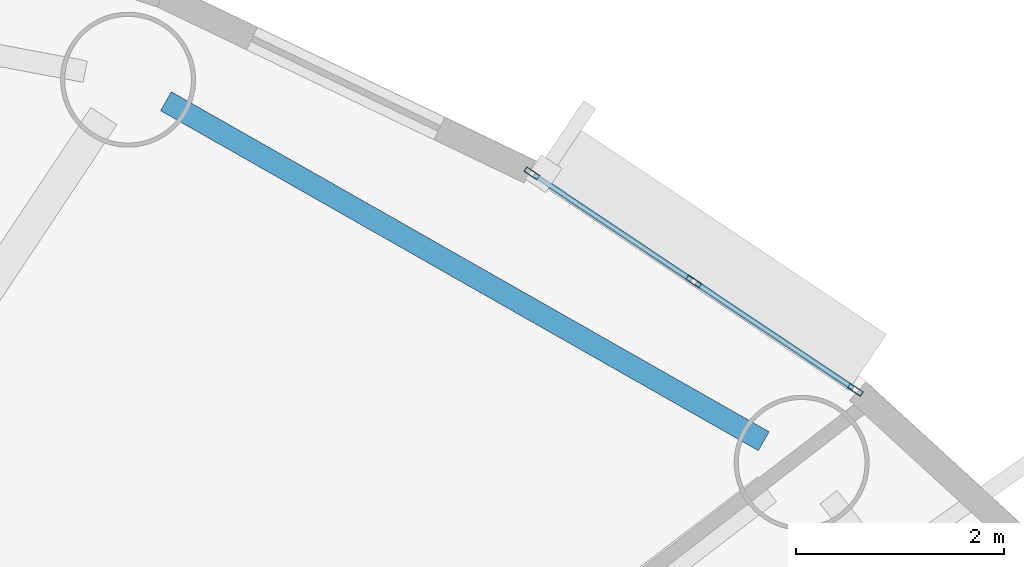
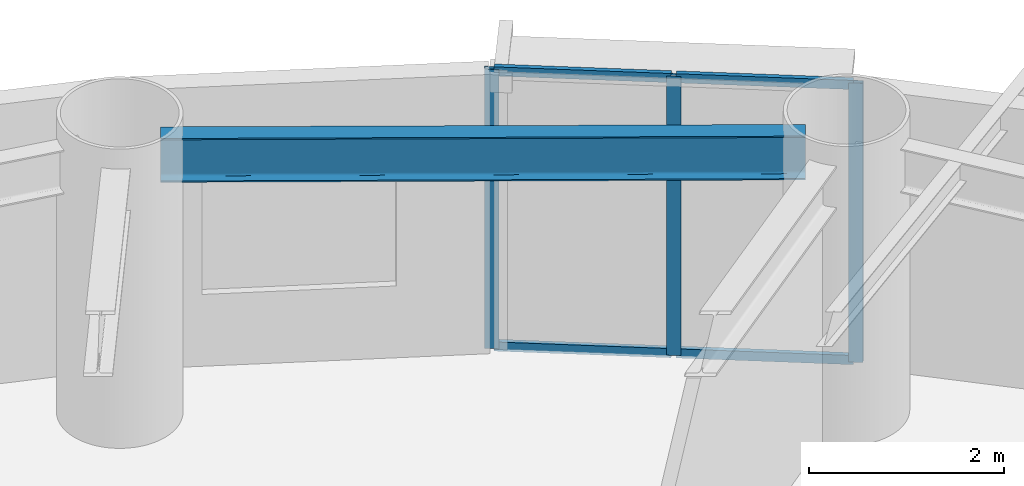
# One storey, part 5 of 18: 7 members, 1 beam, 1 element without a shape of its own.
"""IFC4 building model written with IfcOpenShell, lengths in metres."""

import ifcopenshell
import ifcopenshell.guid

model = None  # the IFC model being written
_history = None  # IfcOwnerHistory: only IFC2X3 demands one
_inside = {}  # id of a spatial element -> (the spatial element, [elements in it])
_under = {}  # id of a project, library or spatial element -> (it, [spatial elements below it])
_declared = {}  # id of a project -> (the project, [libraries it declares])
_typed = {}  # id of a type object -> (the type object, [elements of that type])
_made_of = {}  # id of a material, layer set ... -> (it, [elements and type objects made of it])


def new_model(schema):
    """Start an empty IFC model of exactly this schema.

    Asked for "IFC4X3", IfcOpenShell would pick the latest addendum, in which some entities
    have other attributes; the version numbers below select the first issue.
    IFC2X3 requires an IfcOwnerHistory on every rooted entity: one is made here for all.
    """
    global model, _history
    if schema == "IFC4X3":
        model = ifcopenshell.file(schema_version=(4, 3, 0, 0))
    else:
        model = ifcopenshell.file(schema=schema)
    _inside.clear()
    _under.clear()
    _declared.clear()
    _typed.clear()
    _made_of.clear()
    _history = None
    if model.schema == "IFC2X3":
        org = make("IfcOrganization", Name="unknown")
        user = make(
            "IfcPersonAndOrganization",
            ThePerson=make("IfcPerson", FamilyName="unknown"),
            TheOrganization=org,
        )
        app = make(
            "IfcApplication",
            ApplicationDeveloper=org,
            Version="unknown",
            ApplicationFullName="unknown",
            ApplicationIdentifier="unknown",
        )
        _history = make(
            "IfcOwnerHistory",
            OwningUser=user,
            OwningApplication=app,
            ChangeAction="ADDED",
            CreationDate=0,
        )
    return model


def make(cls, **values):
    """One entity of the class cls with the attributes given. An attribute that is None is left unset."""
    return model.create_entity(
        cls, **{name: value for name, value in values.items() if value is not None}
    )


def rooted(cls, **values):
    """An entity with a GlobalId (a new one), such as an element, a storey or a relation."""
    return make(cls, GlobalId=ifcopenshell.guid.new(), OwnerHistory=_history, **values)


def si_unit(unit_type, name, prefix=None):
    """IfcSIUnit, for example si_unit("LENGTHUNIT", "METRE", prefix="MILLI")."""
    return make("IfcSIUnit", UnitType=unit_type, Prefix=prefix, Name=name)


def assignment(units):
    """IfcUnitAssignment: the units of a project."""
    return None if units is None else make("IfcUnitAssignment", Units=units)


def point(xyz):
    """IfcCartesianPoint."""
    return None if xyz is None else make("IfcCartesianPoint", Coordinates=xyz)


def direction(xyz):
    """IfcDirection."""
    return None if xyz is None else make("IfcDirection", DirectionRatios=xyz)


def frame(location, z_axis=None, x_axis=None):
    """IfcAxis2Placement3D, a coordinate frame: its origin and axes. An axis left out is left unset."""
    return make(
        "IfcAxis2Placement3D",
        Location=point(location),
        Axis=direction(z_axis),
        RefDirection=direction(x_axis),
    )


def frame_2d(location, x_axis=None):
    """IfcAxis2Placement2D, a coordinate frame in the plane: its origin and x axis."""
    return make(
        "IfcAxis2Placement2D", Location=point(location), RefDirection=direction(x_axis)
    )


def origin():
    """The frame at (0, 0, 0) with its axes left unset."""
    return frame((0.0, 0.0, 0.0))


def origin_2d():
    """The frame at (0, 0) in the plane with its x axis left unset."""
    return frame_2d((0.0, 0.0))


def place(relative_to, where):
    """IfcLocalPlacement: puts the frame where relative to a parent placement (None: the world)."""
    return make(
        "IfcLocalPlacement", PlacementRelTo=relative_to, RelativePlacement=where
    )


def context(
    kind, dimensions, precision=None, world=None, true_north=None, identifier=None
):
    """IfcGeometricRepresentationContext, for example the 3D "Model" context."""
    return make(
        "IfcGeometricRepresentationContext",
        ContextIdentifier=identifier,
        ContextType=kind,
        CoordinateSpaceDimension=dimensions,
        Precision=precision,
        WorldCoordinateSystem=world,
        TrueNorth=true_north,
    )


def subcontext(parent, identifier, kind, view, scale=None):
    """IfcGeometricRepresentationSubContext, for example "Body" below "Model"."""
    return make(
        "IfcGeometricRepresentationSubContext",
        ContextIdentifier=identifier,
        ContextType=kind,
        ParentContext=parent,
        TargetScale=scale,
        TargetView=view,
    )


def project(units=None, contexts=None):
    """IfcProject with its units and contexts."""
    return rooted(
        "IfcProject",
        Name="project",
        RepresentationContexts=contexts,
        UnitsInContext=assignment(units),
    )


def spatial(cls, under=None, at=None, **own):
    """A site, building, storey or space (cls), placed at a placement, below another one or the project."""
    s = rooted(cls, ObjectPlacement=at, **own)
    if under is not None:
        _under.setdefault(under.id(), (under, []))[1].append(s)
    return s


def profile(cls, at=None, kind="AREA", **sizes):
    """A parametric profile (cls). Its sizes go by their IFC names, for example OverallWidth=200.0."""
    return make(cls, ProfileType=kind, Position=at, **sizes)


def hollow_rectangle(**sizes):
    """IfcRectangleHollowProfileDef."""
    return profile("IfcRectangleHollowProfileDef", **sizes)


def i_section(**sizes):
    """IfcIShapeProfileDef."""
    return profile("IfcIShapeProfileDef", **sizes)


def extrude(swept, where, along, depth):
    """IfcExtrudedAreaSolid: the profile swept, set in the frame where, extruded along a direction by depth."""
    return make(
        "IfcExtrudedAreaSolid",
        SweptArea=swept,
        Position=where,
        ExtrudedDirection=direction(along),
        Depth=depth,
    )


def shape(context_of_items, identifier, shape_type, items):
    """IfcShapeRepresentation: the items that make up one representation, for example the "Body"."""
    return make(
        "IfcShapeRepresentation",
        ContextOfItems=context_of_items,
        RepresentationIdentifier=identifier,
        RepresentationType=shape_type,
        Items=items,
    )


def source(mapping_origin, context_of_items, identifier, shape_type, items):
    """IfcRepresentationMap: a shape defined once, which mapped items show again and again."""
    return make(
        "IfcRepresentationMap",
        MappingOrigin=mapping_origin,
        MappedRepresentation=shape(context_of_items, identifier, shape_type, items),
    )


def transform(
    local_origin,
    x_axis=None,
    y_axis=None,
    z_axis=None,
    scale=None,
    scale2=None,
    scale3=None,
    uniform=True,
):
    """IfcCartesianTransformationOperator3D, or its non-uniform kind. x_axis, y_axis, z_axis: its Axis1, 2, 3."""
    if uniform:
        return make(
            "IfcCartesianTransformationOperator3D",
            Axis1=direction(x_axis),
            Axis2=direction(y_axis),
            LocalOrigin=point(local_origin),
            Scale=scale,
            Axis3=direction(z_axis),
        )
    return make(
        "IfcCartesianTransformationOperator3DnonUniform",
        Axis1=direction(x_axis),
        Axis2=direction(y_axis),
        LocalOrigin=point(local_origin),
        Scale=scale,
        Axis3=direction(z_axis),
        Scale2=scale2,
        Scale3=scale3,
    )


def mapped(mapping_source, mapping_target):
    """IfcMappedItem: shows the shape of a source again, moved by a transform."""
    return make(
        "IfcMappedItem", MappingSource=mapping_source, MappingTarget=mapping_target
    )


def material(Name=None, Category=None):
    """IfcMaterial."""
    return make("IfcMaterial", Name=Name, Category=Category)


def layer(
    of_material, thickness, ventilated=None, Name=None, Category=None, Priority=None
):
    """IfcMaterialLayer: one layer of a wall or slab, of a material (None: an air gap)."""
    return make(
        "IfcMaterialLayer",
        Material=of_material,
        LayerThickness=thickness,
        IsVentilated=ventilated,
        Name=Name,
        Category=Category,
        Priority=Priority,
    )


def layer_set(layers, Name=None):
    """IfcMaterialLayerSet."""
    return make("IfcMaterialLayerSet", MaterialLayers=layers, LayerSetName=Name)


def material_profile(
    of_material, cross_section, Name=None, Category=None, Priority=None
):
    """IfcMaterialProfile: a cross section and its material."""
    return make(
        "IfcMaterialProfile",
        Name=Name,
        Material=of_material,
        Profile=cross_section,
        Priority=Priority,
        Category=Category,
    )


def profile_set(profiles, Name=None, composite=None):
    """IfcMaterialProfileSet."""
    return make(
        "IfcMaterialProfileSet",
        Name=Name,
        MaterialProfiles=profiles,
        CompositeProfile=composite,
    )


def made_of(thing, what):
    """Note that an element or type object is made of a material, layer set ...; save() writes the relation."""
    if what is not None:
        _made_of.setdefault(what.id(), (what, []))[1].append(thing)
    return thing


def type_object(cls, material=None, **own):
    """A type object (cls), such as IfcWallType, which elements share."""
    return made_of(rooted(cls, **own), material)


def element(
    cls,
    number,
    at=None,
    inside=None,
    cuts=None,
    type_object=None,
    material=None,
    context=None,
    identifier="Body",
    shape_type=None,
    held_by="IfcProductDefinitionShape",
    body=None,
    shapes=None,
    **own,
):
    """One element of the class cls, such as IfcWall. Its Tag is "e" and its number.

    at: its placement. inside: the storey or other place that contains it. cuts: it is an
    opening in that element (IfcRelVoidsElement). A single representation is given by context,
    identifier, shape_type and body (its items); several are given by shapes. held_by: the class
    of the entity that holds the representations. save() writes the other relations.
    """
    e = rooted(cls, Tag="e%d" % number, ObjectPlacement=at, **own)
    if body is not None:
        shapes = [shape(context, identifier, shape_type, body)]
    if shapes is not None:
        e.Representation = make(held_by, Representations=shapes)
    if inside is not None:
        _inside.setdefault(inside.id(), (inside, []))[1].append(e)
    if cuts is not None:
        rooted(
            "IfcRelVoidsElement", RelatingBuildingElement=cuts, RelatedOpeningElement=e
        )
    if type_object is not None:
        _typed.setdefault(type_object.id(), (type_object, []))[1].append(e)
    return made_of(e, material)


def aggregate(whole, parts):
    """IfcRelAggregates: a whole, such as a stair, and the parts it consists of."""
    return rooted("IfcRelAggregates", RelatingObject=whole, RelatedObjects=parts)


def save(model, path):
    """Write the relations noted so far, then the file.

    IfcRelAggregates (storeys below a building ...), IfcRelContainedInSpatialStructure (elements
    in a storey), IfcRelDefinesByType, IfcRelAssociatesMaterial and IfcRelDeclares: one each for
    every whole, place, type object, material and project.
    """
    for whole, parts in _under.values():
        aggregate(whole, parts)
    for where, things in _inside.values():
        rooted(
            "IfcRelContainedInSpatialStructure",
            RelatedElements=things,
            RelatingStructure=where,
        )
    for kind, things in _typed.values():
        rooted("IfcRelDefinesByType", RelatedObjects=things, RelatingType=kind)
    for what, things in _made_of.values():
        rooted("IfcRelAssociatesMaterial", RelatedObjects=things, RelatingMaterial=what)
    for by, libraries in _declared.values():
        rooted("IfcRelDeclares", RelatingContext=by, RelatedDefinitions=libraries)
    model.write(path)


model = new_model("IFC4")

# Units and contexts
model_context = context("Model", 3, precision=1e-05, world=origin(), true_north=direction((0.0, 1.0)))
body_context = subcontext(model_context, "Body", "Model", "MODEL_VIEW")
ifc_project = project(units=[si_unit("LENGTHUNIT", "METRE"), si_unit("AREAUNIT", "SQUARE_METRE"), si_unit("VOLUMEUNIT", "CUBIC_METRE"), si_unit("PLANEANGLEUNIT", "RADIAN"), si_unit("MASSUNIT", "GRAM", prefix="KILO")], contexts=[model_context])

# Site, building, storey
site_placement = place(None, origin())
site = spatial("IfcSite", under=ifc_project, at=site_placement, CompositionType="ELEMENT")
building_placement = place(site_placement, origin())
building = spatial("IfcBuilding", under=site, at=building_placement, Name="Linh Dai School and Residence Tower", CompositionType="ELEMENT")
storey_placement = place(building_placement, frame((0.0, 0.0, 186.14990234375)))
storey = spatial("IfcBuildingStorey", under=building, at=storey_placement, Name="L45", CompositionType="ELEMENT", Elevation=186.14990234375)

# Beam
ifc_material_1 = material(Name="Structural Steel S355JR", Category="steel")
ifc_material_profile_1 = material_profile(ifc_material_1, i_section(OverallWidth=0.2099609375, OverallDepth=0.550048828125, WebThickness=0.010986328125, FlangeThickness=0.01708984375, FilletRadius=0.02392578125, at=origin_2d()), Name="IPE 550")
ifc_profile_set_1 = profile_set([ifc_material_profile_1], Name="Structural Steel S355JR")
beam_type = type_object("IfcBeamType", Name="BM-RB55", PredefinedType="BEAM", material=ifc_profile_set_1)
beam_placement = place(storey_placement, frame((53.827392578125, 41.1494140625, 3.22509765625), z_axis=(-0.869262164011, 0.49435138335, 0.0), x_axis=(-0.49435138335, -0.869262164011, 0.0)))
element("IfcBeam", 1, at=beam_placement, inside=storey, type_object=beam_type, Name="L45 Perimeter Elliptical Ring Beam 03", PredefinedType="BEAM", context=body_context, shape_type="SweptSolid", body=[
    extrude(i_section(OverallWidth=0.2099609375, OverallDepth=0.550048828125, WebThickness=0.010986328125, FlangeThickness=0.01708984375, FilletRadius=0.02392578125, at=origin_2d()), origin(), (0.0, 0.0, 1.0), 6.62255859375),
])

# Curtain wall, members
ifc_material_2 = material(Name="Aluminium Anodised Curtain Wall", Category="aluminium")
ifc_layer = layer(ifc_material_2, 0.14990234375)
ifc_layer_set = layer_set([ifc_layer], Name="Aluminium Anodised Curtain Wall")
curtain_wall_type = type_object("IfcCurtainWallType", Name="CW-SYS-4", PredefinedType="USERDEFINED", material=ifc_layer_set)
curtain_wall_placement = place(storey_placement, origin())
curtain_wall = element("IfcCurtainWall", 2, at=curtain_wall_placement, inside=storey, type_object=curtain_wall_type, Name="L45 CW4 Curtain Wall 06", ObjectType="RIBBON CURTAIN WALL", PredefinedType="USERDEFINED")
ifc_material_3 = material(Name="Aluminium Alloy 6063-T6", Category="aluminium")
ifc_material_profile_2 = material_profile(ifc_material_3, hollow_rectangle(XDim=0.052001953125, YDim=0.14990234375, WallThickness=0.00390625, at=origin_2d()), Name="RHS 150x52x4")
ifc_profile_set_2 = profile_set([ifc_material_profile_2], Name="Aluminium Alloy 6063-T6")
member_type_1 = type_object("IfcMemberType", Name="CW-SYS-4-MUL", PredefinedType="MULLION", material=ifc_profile_set_2)
shared_shape_1 = source(origin(), body_context, "Body", "SweptSolid", [
    extrude(hollow_rectangle(XDim=0.052001953125, YDim=0.14990234375, WallThickness=0.00390625, at=origin_2d()), origin(), (0.0, 0.0, 1.0), 3.5),
])
member_1_placement = place(storey_placement, frame((51.594970703125, 43.728759765625, 0.0), z_axis=(0.0, 0.0, 1.0), x_axis=(0.555931154932, 0.831228338651, 0.0)))
member_1 = element("IfcMember", 3, at=member_1_placement, type_object=member_type_1, Name="CW4 mullion 1", PredefinedType="MULLION", context=body_context, shape_type="MappedRepresentation", body=[
    mapped(shared_shape_1, transform((0.0, 0.0, 0.0), x_axis=(1.0, 0.0, 0.0), y_axis=(0.0, 1.0, 0.0), z_axis=(0.0, 0.0, 1.0), scale=1.0)),
])
member_2_placement = place(storey_placement, frame((53.152587890625, 42.68701171875, 0.0), z_axis=(0.0, 0.0, 1.0), x_axis=(0.555931154932, 0.831228338651, 0.0)))
member_2 = element("IfcMember", 4, at=member_2_placement, type_object=member_type_1, Name="CW4 mullion 2", PredefinedType="MULLION", context=body_context, shape_type="MappedRepresentation", body=[
    mapped(shared_shape_1, transform((0.0, 0.0, 0.0), x_axis=(1.0, 0.0, 0.0), y_axis=(0.0, 1.0, 0.0), z_axis=(0.0, 0.0, 1.0), scale=1.0)),
])
member_3_placement = place(storey_placement, frame((54.71044921875, 41.64501953125, 0.0), z_axis=(0.0, 0.0, 1.0), x_axis=(0.555931154932, 0.831228338651, 0.0)))
member_3 = element("IfcMember", 5, at=member_3_placement, type_object=member_type_1, Name="CW4 mullion 3", PredefinedType="MULLION", context=body_context, shape_type="MappedRepresentation", body=[
    mapped(shared_shape_1, transform((0.0, 0.0, 0.0), x_axis=(1.0, 0.0, 0.0), y_axis=(0.0, 1.0, 0.0), z_axis=(0.0, 0.0, 1.0), scale=1.0)),
])
ifc_material_profile_3 = material_profile(ifc_material_3, hollow_rectangle(XDim=0.052001953125, YDim=0.114990234375, WallThickness=0.00390625, at=origin_2d()), Name="RHS 115x52x4")
ifc_profile_set_3 = profile_set([ifc_material_profile_3], Name="Aluminium Alloy 6063-T6")
member_type_2 = type_object("IfcMemberType", Name="CW-SYS-4-TRN", PredefinedType="USERDEFINED", material=ifc_profile_set_3)
shared_shape_2 = source(origin(), body_context, "Body", "SweptSolid", [
    extrude(hollow_rectangle(XDim=0.052001953125, YDim=0.114990234375, WallThickness=0.00390625, at=origin_2d()), origin(), (0.0, 0.0, 1.0), 1.822021484375),
])
member_4_placement = place(storey_placement, frame((51.616455078125, 43.71435546875, 0.026123046875), z_axis=(0.831245508037, -0.555905482406, 0.0), x_axis=(0.555905482406, 0.831245508037, 0.0)))
member_4 = element("IfcMember", 6, at=member_4_placement, type_object=member_type_2, Name="CW4 transom 1.1", ObjectType="TRANSOM", PredefinedType="USERDEFINED", context=body_context, shape_type="MappedRepresentation", body=[
    mapped(shared_shape_2, transform((0.0, 0.0, 0.0), x_axis=(1.0, 0.0, 0.0), y_axis=(0.0, 1.0, 0.0), z_axis=(0.0, 0.0, 1.0), scale=1.0)),
])
member_5_placement = place(storey_placement, frame((51.616455078125, 43.71435546875, 3.47412109375), z_axis=(0.831245508037, -0.555905482406, 0.0), x_axis=(0.555905482406, 0.831245508037, 0.0)))
member_5 = element("IfcMember", 7, at=member_5_placement, type_object=member_type_2, Name="CW4 transom 1.2", ObjectType="TRANSOM", PredefinedType="USERDEFINED", context=body_context, shape_type="MappedRepresentation", body=[
    mapped(shared_shape_2, transform((0.0, 0.0, 0.0), x_axis=(1.0, 0.0, 0.0), y_axis=(0.0, 1.0, 0.0), z_axis=(0.0, 0.0, 1.0), scale=1.0)),
])
member_6_placement = place(storey_placement, frame((53.17431640625, 42.67236328125, 0.026123046875), z_axis=(0.831204095485, -0.555967401607, 0.0), x_axis=(0.555967401607, 0.831204095485, 0.0)))
member_6 = element("IfcMember", 8, at=member_6_placement, type_object=member_type_2, Name="CW4 transom 2.1", ObjectType="TRANSOM", PredefinedType="USERDEFINED", context=body_context, shape_type="MappedRepresentation", body=[
    mapped(shared_shape_2, transform((0.0, 0.0, 0.0), x_axis=(1.0, 0.0, 0.0), y_axis=(0.0, 1.0, 0.0), z_axis=(0.0, 0.0, 1.0), scale=1.0)),
])
member_7_placement = place(storey_placement, frame((53.17431640625, 42.67236328125, 3.47412109375), z_axis=(0.831204095485, -0.555967401607, 0.0), x_axis=(0.555967401607, 0.831204095485, 0.0)))
member_7 = element("IfcMember", 9, at=member_7_placement, type_object=member_type_2, Name="CW4 transom 2.2", ObjectType="TRANSOM", PredefinedType="USERDEFINED", context=body_context, shape_type="MappedRepresentation", body=[
    mapped(shared_shape_2, transform((0.0, 0.0, 0.0), x_axis=(1.0, 0.0, 0.0), y_axis=(0.0, 1.0, 0.0), z_axis=(0.0, 0.0, 1.0), scale=1.0)),
])
aggregate(curtain_wall, [member_1, member_2, member_3, member_4, member_5, member_6, member_7])

save(model, "model.ifc")
